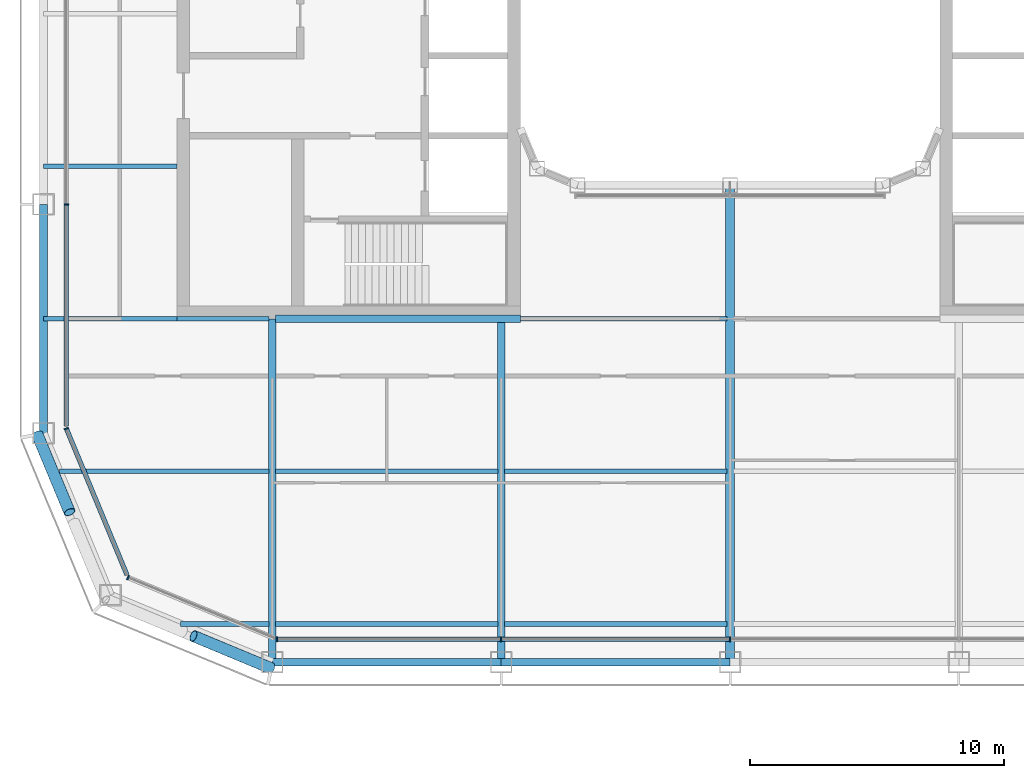
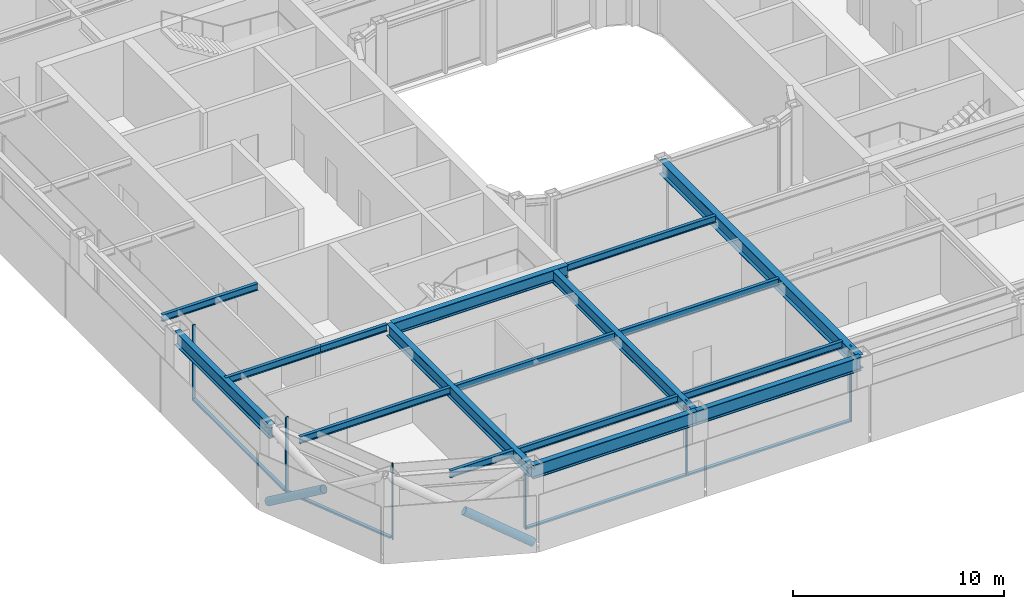
# One storey, part 2 of 22: 17 beams, 12 members, 4 elements without a shape of their own.
"""IFC4 building model written with IfcOpenShell, lengths in metres."""

from ifc_helpers import new_model, si_unit, direction, frame, origin, origin_2d, place, context, subcontext, project, spatial, rectangle, hollow_circle, i_section, extrude, material, layer, layer_set, material_profile, profile_set, type_object, element, aggregate, save


model = new_model("IFC4")

# Units and contexts
model_context = context("Model", 3, precision=1e-05, world=origin(), true_north=direction((0.0, 1.0)))
body_context = subcontext(model_context, "Body", "Model", "MODEL_VIEW")
ifc_project = project(units=[si_unit("LENGTHUNIT", "METRE"), si_unit("AREAUNIT", "SQUARE_METRE"), si_unit("VOLUMEUNIT", "CUBIC_METRE"), si_unit("PLANEANGLEUNIT", "RADIAN"), si_unit("MASSUNIT", "GRAM", prefix="KILO")], contexts=[model_context])

# Site, building, storey
site_placement = place(None, origin())
site = spatial("IfcSite", under=ifc_project, at=site_placement, CompositionType="ELEMENT")
building_placement = place(site_placement, origin())
building = spatial("IfcBuilding", under=site, at=building_placement, Name="Siwar Civic Tower", CompositionType="ELEMENT")
storey_placement = place(building_placement, frame((0.0, 0.0, 219.699951171875)))
storey = spatial("IfcBuildingStorey", under=building, at=storey_placement, Name="L47", CompositionType="ELEMENT", Elevation=219.699951171875)

# Curtain wall, members
ifc_material_1 = material(Name="Aluminium and glass", Category="aluminium")
ifc_layer_1 = layer(ifc_material_1, 0.179931640625)
ifc_layer_set_1 = layer_set([ifc_layer_1], Name="Aluminium and glass")
curtain_wall_type_1 = type_object("IfcCurtainWallType", Name="ENV-CW-C", PredefinedType="NOTDEFINED", material=ifc_layer_set_1)
curtain_wall_1_placement = place(storey_placement, origin())
curtain_wall_1 = element("IfcCurtainWall", 1, at=curtain_wall_1_placement, inside=storey, type_object=curtain_wall_type_1, Name="Curtain wall C S", PredefinedType="NOTDEFINED")
ifc_material_2 = material(Name="Aluminium 6063-T6", Category="aluminium")
ifc_material_profile_1 = material_profile(ifc_material_2, rectangle(XDim=0.179931640625, YDim=0.06005859375, at=origin_2d()), Name="AL 180x60")
ifc_profile_set_1 = profile_set([ifc_material_profile_1], Name="Aluminium 6063-T6")
member_type_1 = type_object("IfcMemberType", Name="ENV-MULLION-C", PredefinedType="MULLION", material=ifc_profile_set_1)
member_1_placement = place(storey_placement, frame((-17.821044921875, -26.10009765625, 0.0), z_axis=(0.0, 0.0, 1.0), x_axis=(0.0, 1.0, 0.0)))
member_1 = element("IfcMember", 2, at=member_1_placement, type_object=member_type_1, Name="Mullion C S 1", PredefinedType="MULLION", context=body_context, shape_type="SweptSolid", body=[
    extrude(rectangle(XDim=0.179931640625, YDim=0.06005859375, at=origin_2d()), origin(), (0.0, 0.0, 1.0), 4.35009765625),
])
member_2_placement = place(storey_placement, frame((-9.0, -26.10009765625, 0.0), z_axis=(0.0, 0.0, 1.0), x_axis=(0.0, 1.0, 0.0)))
member_2 = element("IfcMember", 3, at=member_2_placement, type_object=member_type_1, Name="Mullion C S 2", PredefinedType="MULLION", context=body_context, shape_type="SweptSolid", body=[
    extrude(rectangle(XDim=0.179931640625, YDim=0.06005859375, at=origin_2d()), origin(), (0.0, 0.0, 1.0), 4.35009765625),
])
member_3_placement = place(storey_placement, frame((0.0, -26.10009765625, 0.0), z_axis=(0.0, 0.0, 1.0), x_axis=(0.0, 1.0, 0.0)))
member_3 = element("IfcMember", 4, at=member_3_placement, type_object=member_type_1, Name="Mullion C S 3", PredefinedType="MULLION", context=body_context, shape_type="SweptSolid", body=[
    extrude(rectangle(XDim=0.179931640625, YDim=0.06005859375, at=origin_2d()), origin(), (0.0, 0.0, 1.0), 4.35009765625),
])

# Curtain wall, member
curtain_wall_2_placement = place(storey_placement, origin())
curtain_wall_2 = element("IfcCurtainWall", 5, at=curtain_wall_2_placement, inside=storey, type_object=curtain_wall_type_1, Name="Curtain wall C W", PredefinedType="NOTDEFINED")
member_4_placement = place(storey_placement, frame((-26.10009765625, -9.0, 0.0), z_axis=(0.0, 0.0, 1.0), x_axis=(1.0, 0.0, 0.0)))
member_4 = element("IfcMember", 6, at=member_4_placement, type_object=member_type_1, Name="Mullion C W 4", PredefinedType="MULLION", context=body_context, shape_type="SweptSolid", body=[
    extrude(rectangle(XDim=0.179931640625, YDim=0.06005859375, at=origin_2d()), origin(), (0.0, 0.0, 1.0), 4.35009765625),
])

ifc_material_3 = material(Name="Aluminium clad insulated panel", Category="aluminium")
ifc_layer_2 = layer(ifc_material_3, 0.179931640625)
ifc_layer_set_2 = layer_set([ifc_layer_2], Name="Aluminium clad insulated panel")
curtain_wall_type_2 = type_object("IfcCurtainWallType", Name="ENV-CW-CX", PredefinedType="NOTDEFINED", material=ifc_layer_set_2)
curtain_wall_3_placement = place(storey_placement, origin())
curtain_wall_3 = element("IfcCurtainWall", 7, at=curtain_wall_3_placement, inside=storey, type_object=curtain_wall_type_2, Name="Curtain wall C SW1", PredefinedType="NOTDEFINED")
member_5_placement = place(storey_placement, frame((-26.10009765625, -17.821044921875, 0.0), z_axis=(0.0, 0.0, 1.0), x_axis=(0.923879532511, 0.382683432365, 0.0)))
member_5 = element("IfcMember", 8, at=member_5_placement, type_object=member_type_1, Name="Mullion C SW1 1", PredefinedType="MULLION", context=body_context, shape_type="SweptSolid", body=[
    extrude(rectangle(XDim=0.179931640625, YDim=0.06005859375, at=origin_2d()), origin(), (0.0, 0.0, 1.0), 4.35009765625),
])

curtain_wall_4_placement = place(storey_placement, origin())
curtain_wall_4 = element("IfcCurtainWall", 9, at=curtain_wall_4_placement, inside=storey, type_object=curtain_wall_type_2, Name="Curtain wall C SW2", PredefinedType="NOTDEFINED")
member_6_placement = place(storey_placement, frame((-23.675048828125, -23.675048828125, 0.0), z_axis=(0.0, 0.0, 1.0), x_axis=(0.382683432365, 0.923879532511, 0.0)))
member_6 = element("IfcMember", 10, at=member_6_placement, type_object=member_type_1, Name="Mullion C SW2 1", PredefinedType="MULLION", context=body_context, shape_type="SweptSolid", body=[
    extrude(rectangle(XDim=0.179931640625, YDim=0.06005859375, at=origin_2d()), origin(), (0.0, 0.0, 1.0), 4.35009765625),
])
aggregate(curtain_wall_4, [member_6])

# Member
ifc_material_4 = material(Name="Aluminium 6063-T6", Category="aluminium")
ifc_material_profile_2 = material_profile(ifc_material_4, rectangle(XDim=0.179931640625, YDim=0.10009765625, at=origin_2d()), Name="AL 180x100")
ifc_profile_set_2 = profile_set([ifc_material_profile_2], Name="Aluminium 6063-T6")
member_type_2 = type_object("IfcMemberType", Name="ENV-TRANSOM-C", PredefinedType="USERDEFINED", material=ifc_profile_set_2)
member_7_placement = place(storey_placement, frame((-17.791015625, -26.10009765625, 0.050048828125), z_axis=(1.0, 0.0, 0.0), x_axis=(0.0, 1.0, 0.0)))
member_7 = element("IfcMember", 11, at=member_7_placement, type_object=member_type_2, Name="Transom C S 1", ObjectType="TRANSOM", PredefinedType="USERDEFINED", context=body_context, shape_type="SweptSolid", body=[
    extrude(rectangle(XDim=0.179931640625, YDim=0.10009765625, at=origin_2d()), origin(), (0.0, 0.0, 1.0), 8.760986328125),
])

member_8_placement = place(storey_placement, frame((-8.969970703125, -26.10009765625, 0.050048828125), z_axis=(1.0, 0.0, 0.0), x_axis=(0.0, 1.0, 0.0)))
member_8 = element("IfcMember", 12, at=member_8_placement, type_object=member_type_2, Name="Transom C S 2", ObjectType="TRANSOM", PredefinedType="USERDEFINED", context=body_context, shape_type="SweptSolid", body=[
    extrude(rectangle(XDim=0.179931640625, YDim=0.10009765625, at=origin_2d()), origin(), (0.0, 0.0, 1.0), 8.93994140625),
])

aggregate(curtain_wall_1, [member_1, member_2, member_3, member_7, member_8])

member_9_placement = place(storey_placement, frame((-26.10009765625, -9.030029296875, 0.050048828125), z_axis=(0.0, -1.0, 0.0), x_axis=(1.0, 0.0, 0.0)))
member_9 = element("IfcMember", 13, at=member_9_placement, type_object=member_type_2, Name="Transom C W 4", ObjectType="TRANSOM", PredefinedType="USERDEFINED", context=body_context, shape_type="SweptSolid", body=[
    extrude(rectangle(XDim=0.179931640625, YDim=0.10009765625, at=origin_2d()), origin(), (0.0, 0.0, 1.0), 8.68603515625),
])

aggregate(curtain_wall_2, [member_4, member_9])

member_10_placement = place(storey_placement, frame((-26.088623046875, -17.8486328125, 0.050048828125), z_axis=(0.38267744817, -0.923882011223, 0.0), x_axis=(0.923882011223, 0.38267744817, 0.0)))
member_10 = element("IfcMember", 14, at=member_10_placement, type_object=member_type_2, Name="Transom C SW1 1", ObjectType="TRANSOM", PredefinedType="USERDEFINED", context=body_context, shape_type="SweptSolid", body=[
    extrude(rectangle(XDim=0.179931640625, YDim=0.10009765625, at=origin_2d()), origin(), (0.0, 0.0, 1.0), 6.201904296875),
])

aggregate(curtain_wall_3, [member_5, member_10])

# Members
ifc_material_5 = material(Name="Steel S355", Category="steel")
ifc_material_profile_3 = material_profile(ifc_material_5, hollow_circle(Radius=0.228515625, WallThickness=0.02001953125, at=origin_2d()), Name="CHS457x20")
ifc_profile_set_3 = profile_set([ifc_material_profile_3], Name="Steel S355")
member_type_3 = type_object("IfcMemberType", Name="STR-BR-CHS457x20", PredefinedType="BRACE", material=ifc_profile_set_3)
for number, where, z_axis, x_axis, name in (
    (15, (-18.048828125, -27.2451171875, 0.0), (-0.777546448489, 0.323884455881, 0.538999424564), (-0.38452107079, -0.92311621485, 0.0), "L47/brc/CSW1-7-0-2"),
    (16, (-27.2451171875, -18.048828125, 0.0), (0.323884455881, -0.777546448489, 0.538999424564), (0.92311621485, 0.38452107079, 0.0), "L47/brc/CSW1-7-0-4"),
):
    element("IfcMember", number, at=place(storey_placement, frame(where, z_axis=z_axis, x_axis=x_axis)), inside=storey, type_object=member_type_3, Name=name, PredefinedType="BRACE", context=body_context, shape_type="SweptSolid", body=[
        extrude(hollow_circle(Radius=0.228515625, WallThickness=0.02001953125, at=origin_2d()), origin(), (0.0, 0.0, 1.0), 3.927978515625),
    ])

# Beams
ifc_material_6 = material(Name="Steel S355", Category="steel")
ifc_material_profile_4 = material_profile(ifc_material_6, i_section(OverallWidth=0.179931640625, OverallDepth=0.39990234375, WebThickness=0.008544921875, FlangeThickness=0.013427734375, FilletRadius=0.02099609375, at=origin_2d()), Name="IPE400")
ifc_profile_set_4 = profile_set([ifc_material_profile_4], Name="Steel S355")
beam_type_1 = type_object("IfcBeamType", Name="STR-FB-IPE400", PredefinedType="JOIST", material=ifc_profile_set_4)
beam_1_placement = place(storey_placement, frame((-21.621337890625, -25.5, 4.150146484375), z_axis=(1.0, 0.0, 0.0), x_axis=(0.0, 1.0, 0.0)))
element("IfcBeam", 17, at=beam_1_placement, inside=storey, type_object=beam_type_1, Name="L47/bm/F001", PredefinedType="JOIST", context=body_context, shape_type="SweptSolid", body=[
    extrude(i_section(OverallWidth=0.179931640625, OverallDepth=0.39990234375, WebThickness=0.008544921875, FlangeThickness=0.013427734375, FilletRadius=0.02099609375, at=origin_2d()), origin(), (0.0, 0.0, 1.0), 3.491455078125),
])
for number, where, z_axis, x_axis, name in (
    (18, (-17.8701171875, -25.5, 4.150146484375), (1.0, 0.0, 0.0), (0.0, 1.0, 0.0), "L47/bm/F002"),
    (19, (-8.8701171875, -25.5, 4.150146484375), (1.0, 0.0, 0.0), (0.0, 1.0, 0.0), "L47/bm/F003"),
):
    element("IfcBeam", number, at=place(storey_placement, frame(where, z_axis=z_axis, x_axis=x_axis)), inside=storey, type_object=beam_type_1, Name=name, PredefinedType="JOIST", context=body_context, shape_type="SweptSolid", body=[
        extrude(i_section(OverallWidth=0.179931640625, OverallDepth=0.39990234375, WebThickness=0.008544921875, FlangeThickness=0.013427734375, FilletRadius=0.02099609375, at=origin_2d()), origin(), (0.0, 0.0, 1.0), 8.740234375),
    ])
beam_2_placement = place(storey_placement, frame((-26.378662109375, -19.5, 4.150146484375), z_axis=(1.0, 0.0, 0.0), x_axis=(0.0, 1.0, 0.0)))
element("IfcBeam", 20, at=beam_2_placement, inside=storey, type_object=beam_type_1, Name="L47/bm/F007", PredefinedType="JOIST", context=body_context, shape_type="SweptSolid", body=[
    extrude(i_section(OverallWidth=0.179931640625, OverallDepth=0.39990234375, WebThickness=0.008544921875, FlangeThickness=0.013427734375, FilletRadius=0.02099609375, at=origin_2d()), origin(), (0.0, 0.0, 1.0), 8.248779296875),
])
for number, where, z_axis, x_axis, name in (
    (21, (-17.8701171875, -19.5, 4.150146484375), (1.0, 0.0, 0.0), (0.0, 1.0, 0.0), "L47/bm/F008"),
    (22, (-8.8701171875, -19.5, 4.150146484375), (1.0, 0.0, 0.0), (0.0, 1.0, 0.0), "L47/bm/F009"),
):
    element("IfcBeam", number, at=place(storey_placement, frame(where, z_axis=z_axis, x_axis=x_axis)), inside=storey, type_object=beam_type_1, Name=name, PredefinedType="JOIST", context=body_context, shape_type="SweptSolid", body=[
        extrude(i_section(OverallWidth=0.179931640625, OverallDepth=0.39990234375, WebThickness=0.008544921875, FlangeThickness=0.013427734375, FilletRadius=0.02099609375, at=origin_2d()), origin(), (0.0, 0.0, 1.0), 8.740234375),
    ])
beam_3_placement = place(storey_placement, frame((-27.0, -13.5, 4.150146484375), z_axis=(1.0, 0.0, 0.0), x_axis=(0.0, 1.0, 0.0)))
element("IfcBeam", 23, at=beam_3_placement, inside=storey, type_object=beam_type_1, Name="L47/bm/F013", PredefinedType="JOIST", context=body_context, shape_type="SweptSolid", body=[
    extrude(i_section(OverallWidth=0.179931640625, OverallDepth=0.39990234375, WebThickness=0.008544921875, FlangeThickness=0.013427734375, FilletRadius=0.02099609375, at=origin_2d()), origin(), (0.0, 0.0, 1.0), 5.25),
])
beam_4_placement = place(storey_placement, frame((-21.75, -13.5, 4.150146484375), z_axis=(1.0, 0.0, 0.0), x_axis=(0.0, 1.0, 0.0)))
element("IfcBeam", 24, at=beam_4_placement, inside=storey, type_object=beam_type_1, Name="L47/bm/F014", PredefinedType="JOIST", context=body_context, shape_type="SweptSolid", body=[
    extrude(i_section(OverallWidth=0.179931640625, OverallDepth=0.39990234375, WebThickness=0.008544921875, FlangeThickness=0.013427734375, FilletRadius=0.02099609375, at=origin_2d()), origin(), (0.0, 0.0, 1.0), 3.6201171875),
])
beam_5_placement = place(storey_placement, frame((-8.25, -13.5, 4.150146484375), z_axis=(1.0, 0.0, 0.0), x_axis=(0.0, 1.0, 0.0)))
element("IfcBeam", 25, at=beam_5_placement, inside=storey, type_object=beam_type_1, Name="L47/bm/F016", PredefinedType="JOIST", context=body_context, shape_type="SweptSolid", body=[
    extrude(i_section(OverallWidth=0.179931640625, OverallDepth=0.39990234375, WebThickness=0.008544921875, FlangeThickness=0.013427734375, FilletRadius=0.02099609375, at=origin_2d()), origin(), (0.0, 0.0, 1.0), 8.1201171875),
])
beam_6_placement = place(storey_placement, frame((-27.0, -7.5, 4.150146484375), z_axis=(1.0, 0.0, 0.0), x_axis=(0.0, 1.0, 0.0)))
element("IfcBeam", 26, at=beam_6_placement, inside=storey, type_object=beam_type_1, Name="L47/bm/F021", PredefinedType="JOIST", context=body_context, shape_type="SweptSolid", body=[
    extrude(i_section(OverallWidth=0.179931640625, OverallDepth=0.39990234375, WebThickness=0.008544921875, FlangeThickness=0.013427734375, FilletRadius=0.02099609375, at=origin_2d()), origin(), (0.0, 0.0, 1.0), 5.25),
])
ifc_material_7 = material(Name="Steel S355", Category="steel")
ifc_material_profile_5 = material_profile(ifc_material_7, i_section(OverallWidth=0.300048828125, OverallDepth=0.699951171875, WebThickness=0.01708984375, FlangeThickness=0.031982421875, FilletRadius=0.027099609375, at=origin_2d()), Name="HEB700")
ifc_profile_set_5 = profile_set([ifc_material_profile_5], Name="Steel S355")
beam_type_2 = type_object("IfcBeamType", Name="STR-PG-HEB700", PredefinedType="BEAM", material=ifc_profile_set_5)
for number, where, z_axis, x_axis, name in (
    (27, (-18.0, -27.0, 4.0), (0.0, 1.0, 0.0), (-1.0, 0.0, 0.0), "L47/bm/G01"),
    (28, (-9.0, -27.0, 4.0), (0.0, 1.0, 0.0), (-1.0, 0.0, 0.0), "L47/bm/G03"),
):
    element("IfcBeam", number, at=place(storey_placement, frame(where, z_axis=z_axis, x_axis=x_axis)), inside=storey, type_object=beam_type_2, Name=name, PredefinedType="BEAM", context=body_context, shape_type="SweptSolid", body=[
        extrude(i_section(OverallWidth=0.300048828125, OverallDepth=0.699951171875, WebThickness=0.01708984375, FlangeThickness=0.031982421875, FilletRadius=0.027099609375, at=origin_2d()), origin(), (0.0, 0.0, 1.0), 13.5),
    ])
beam_7_placement = place(storey_placement, frame((-17.8701171875, -13.5, 4.0), z_axis=(1.0, 0.0, 0.0), x_axis=(0.0, 1.0, 0.0)))
element("IfcBeam", 29, at=beam_7_placement, inside=storey, type_object=beam_type_2, Name="L47/bm/F015", PredefinedType="BEAM", context=body_context, shape_type="SweptSolid", body=[
    extrude(i_section(OverallWidth=0.300048828125, OverallDepth=0.699951171875, WebThickness=0.01708984375, FlangeThickness=0.031982421875, FilletRadius=0.027099609375, at=origin_2d()), origin(), (0.0, 0.0, 1.0), 9.6201171875),
])
ifc_material_8 = material(Name="Steel S355", Category="steel")
ifc_material_profile_6 = material_profile(ifc_material_8, i_section(OverallWidth=0.360107421875, OverallDepth=0.800048828125, WebThickness=0.013916015625, FlangeThickness=0.031982421875, at=origin_2d()), Name="PG800x360x14x32")
ifc_profile_set_6 = profile_set([ifc_material_profile_6], Name="Steel S355")
beam_type_3 = type_object("IfcBeamType", Name="STR-PG-PG800x360x14x32", PredefinedType="BEAM", material=ifc_profile_set_6)
beam_8_placement = place(storey_placement, frame((0.0, -27.0, 3.949951171875), z_axis=(0.0, 1.0, 0.0), x_axis=(-1.0, 0.0, 0.0)))
element("IfcBeam", 30, at=beam_8_placement, inside=storey, type_object=beam_type_3, Name="L47/bm/G05", PredefinedType="BEAM", context=body_context, shape_type="SweptSolid", body=[
    extrude(i_section(OverallWidth=0.360107421875, OverallDepth=0.800048828125, WebThickness=0.013916015625, FlangeThickness=0.031982421875, at=origin_2d()), origin(), (0.0, 0.0, 1.0), 18.75),
])
ifc_material_9 = material(Name="Steel S355", Category="steel")
ifc_material_profile_7 = material_profile(ifc_material_9, i_section(OverallWidth=0.300048828125, OverallDepth=0.800048828125, WebThickness=0.017578125, FlangeThickness=0.032958984375, FilletRadius=0.030029296875, at=origin_2d()), Name="HEB800")
ifc_profile_set_7 = profile_set([ifc_material_profile_7], Name="Steel S355")
beam_type_4 = type_object("IfcBeamType", Name="STR-SB-HEB800", PredefinedType="BEAM", material=ifc_profile_set_7)
for number, where, z_axis, x_axis, name in (
    (31, (-18.0, -27.0, 3.949951171875), (1.0, 0.0, 0.0), (0.0, 1.0, 0.0), "L47/bm/SS-0"),
    (32, (-9.0, -27.0, 3.949951171875), (1.0, 0.0, 0.0), (0.0, 1.0, 0.0), "L47/bm/SS-1"),
    (33, (-27.0, -9.0, 3.949951171875), (0.0, -1.0, 0.0), (1.0, 0.0, 0.0), "L47/bm/SW-3"),
):
    element("IfcBeam", number, at=place(storey_placement, frame(where, z_axis=z_axis, x_axis=x_axis)), inside=storey, type_object=beam_type_4, Name=name, PredefinedType="BEAM", context=body_context, shape_type="SweptSolid", body=[
        extrude(i_section(OverallWidth=0.300048828125, OverallDepth=0.800048828125, WebThickness=0.017578125, FlangeThickness=0.032958984375, FilletRadius=0.030029296875, at=origin_2d()), origin(), (0.0, 0.0, 1.0), 9.0),
    ])

save(model, "model.ifc")
